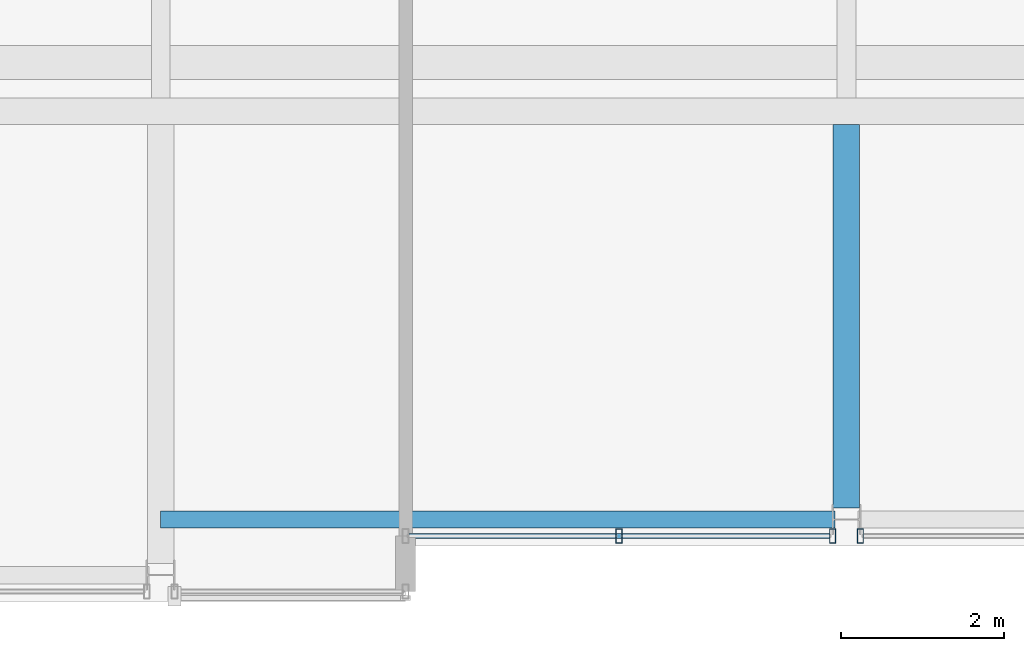
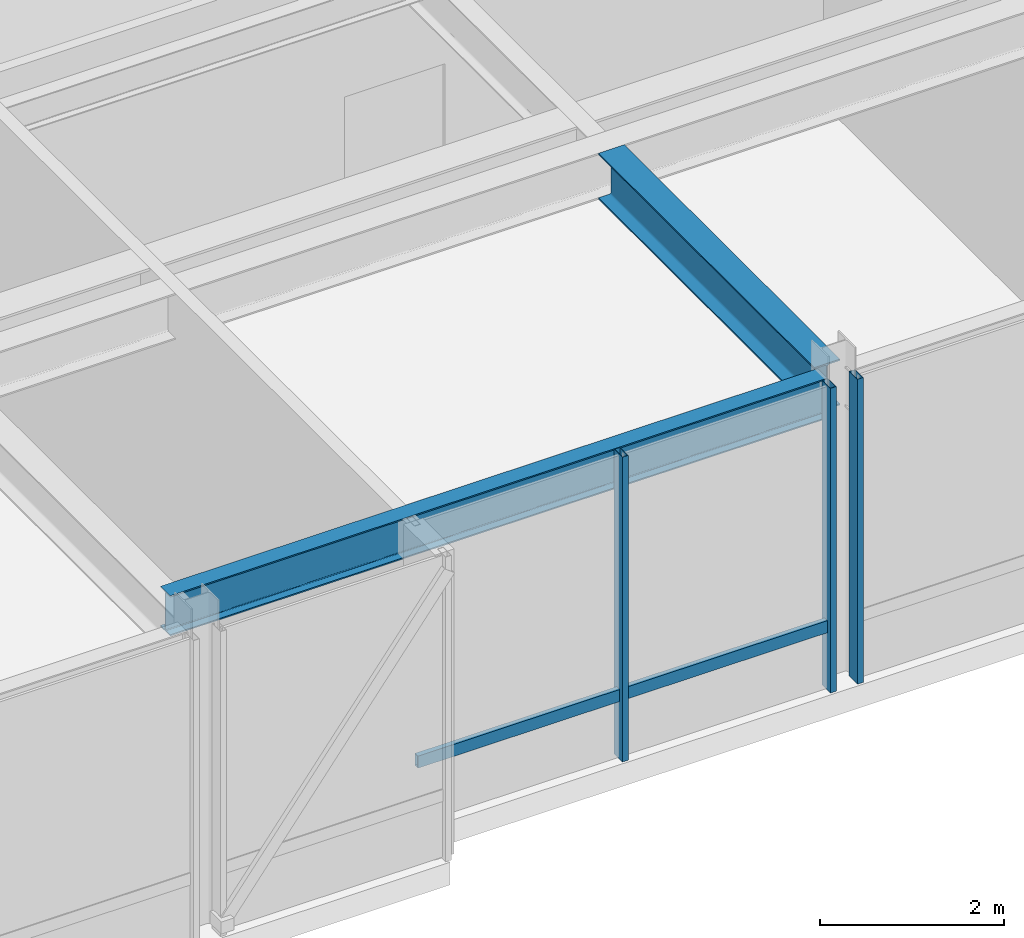
# One storey, part 8 of 33: 4 members, 2 beams, 2 elements without a shape of their own.
"""IFC4 building model written with IfcOpenShell, lengths in metres."""

from ifc_helpers import new_model, si_unit, direction, frame, origin, origin_2d, place, context, subcontext, project, spatial, hollow_rectangle, i_section, extrude, material, layer, layer_set, material_profile, profile_set, type_object, element, aggregate, save


model = new_model("IFC4")

# Units and contexts
model_context = context("Model", 3, precision=1e-05, world=origin(), true_north=direction((0.0, 1.0)))
body_context = subcontext(model_context, "Body", "Model", "MODEL_VIEW")
ifc_project = project(units=[si_unit("LENGTHUNIT", "METRE"), si_unit("AREAUNIT", "SQUARE_METRE"), si_unit("VOLUMEUNIT", "CUBIC_METRE"), si_unit("PLANEANGLEUNIT", "RADIAN"), si_unit("MASSUNIT", "GRAM", prefix="KILO")], contexts=[model_context])

# Site, building, storey
site_placement = place(None, origin())
site = spatial("IfcSite", under=ifc_project, at=site_placement, CompositionType="ELEMENT")
building_placement = place(site_placement, origin())
building = spatial("IfcBuilding", under=site, at=building_placement, Name="Drelvath Grand Hotel", CompositionType="ELEMENT")
storey_placement = place(building_placement, frame((0.0, 0.0, 298.60009765625)))
storey = spatial("IfcBuildingStorey", under=building, at=storey_placement, Name="L78", CompositionType="ELEMENT", Elevation=298.60009765625)

# Curtain wall, members
ifc_material_1 = material(Name="Platinum-Mist Anodised Aluminium Frame", Category="aluminium")
ifc_layer = layer(ifc_material_1, 0.199951171875)
ifc_layer_set = layer_set([ifc_layer], Name="Platinum-Mist Anodised Aluminium Frame")
curtain_wall_type = type_object("IfcCurtainWallType", Name="Stick Curtain Wall CW-05 Platinum Mist High-Rise", PredefinedType="NOTDEFINED", material=ifc_layer_set)
curtain_wall_1_placement = place(storey_placement, origin())
curtain_wall_1 = element("IfcCurtainWall", 1, at=curtain_wall_1_placement, inside=storey, type_object=curtain_wall_type, Name="L78 CW-05 Curtain Wall CW05-L78-SM1", PredefinedType="NOTDEFINED")
ifc_material_profile_1 = material_profile(ifc_material_1, hollow_rectangle(XDim=0.06494140625, YDim=0.159912109375, WallThickness=0.00390625, at=origin_2d()), Name="HSS160X65X4")
ifc_profile_set_1 = profile_set([ifc_material_profile_1], Name="Platinum-Mist Anodised Aluminium Frame")
member_type_1 = type_object("IfcMemberType", Name="Curtain Wall Horizontal Transom CW-05 HSS160X65X4", PredefinedType="USERDEFINED", material=ifc_profile_set_1)
member_1_placement = place(storey_placement, frame((-0.210205078125, 5.60009765625, 0.849853515625), z_axis=(-1.0, 0.0, 0.0), x_axis=(0.0, -1.0, 0.0)))
member_1 = element("IfcMember", 2, at=member_1_placement, type_object=member_type_1, Name="CW05-L78-SM1 Sill Transom", ObjectType="TRANSOM", PredefinedType="USERDEFINED", context=body_context, shape_type="SweptSolid", body=[
    extrude(hollow_rectangle(XDim=0.06494140625, YDim=0.159912109375, WallThickness=0.00390625, at=origin_2d()), origin(), (0.0, 0.0, 1.0), 5.14990234375),
])
ifc_material_profile_2 = material_profile(ifc_material_1, hollow_rectangle(XDim=0.074951171875, YDim=0.179931640625, WallThickness=0.0048828125, at=origin_2d()), Name="HSS180X75X5")
ifc_profile_set_2 = profile_set([ifc_material_profile_2], Name="Platinum-Mist Anodised Aluminium Frame")
member_type_2 = type_object("IfcMemberType", Name="Curtain Wall Vertical Mullion CW-05 HSS180X75X5", PredefinedType="MULLION", material=ifc_profile_set_2)
member_2_placement = place(storey_placement, frame((-0.170166015625, 5.60009765625, 0.0), z_axis=(0.0, 0.0, 1.0), x_axis=(1.0, 0.0, 0.0)))
member_2 = element("IfcMember", 3, at=member_2_placement, type_object=member_type_2, Name="CW05-L78-SM1 Mullion 1", PredefinedType="MULLION", context=body_context, shape_type="SweptSolid", body=[
    extrude(hollow_rectangle(XDim=0.074951171875, YDim=0.179931640625, WallThickness=0.0048828125, at=origin_2d()), origin(), (0.0, 0.0, 1.0), 4.0498046875),
])
member_3_placement = place(storey_placement, frame((-2.78515625, 5.60009765625, 0.0), z_axis=(0.0, 0.0, 1.0), x_axis=(1.0, 0.0, 0.0)))
member_3 = element("IfcMember", 4, at=member_3_placement, type_object=member_type_2, Name="CW05-L78-SM1 Mullion 2", PredefinedType="MULLION", context=body_context, shape_type="SweptSolid", body=[
    extrude(hollow_rectangle(XDim=0.074951171875, YDim=0.179931640625, WallThickness=0.0048828125, at=origin_2d()), origin(), (0.0, 0.0, 1.0), 4.0498046875),
])
aggregate(curtain_wall_1, [member_2, member_3, member_1])

# Curtain wall, member
curtain_wall_2_placement = place(storey_placement, origin())
curtain_wall_2 = element("IfcCurtainWall", 5, at=curtain_wall_2_placement, inside=storey, type_object=curtain_wall_type, Name="L78 CW-05 Curtain Wall CW05-L78-SM2", PredefinedType="NOTDEFINED")
member_4_placement = place(storey_placement, frame((0.170166015625, 5.60009765625, 0.0), z_axis=(0.0, 0.0, 1.0), x_axis=(1.0, 0.0, 0.0)))
member_4 = element("IfcMember", 6, at=member_4_placement, type_object=member_type_2, Name="CW05-L78-SM2 Mullion 3", PredefinedType="MULLION", context=body_context, shape_type="SweptSolid", body=[
    extrude(hollow_rectangle(XDim=0.074951171875, YDim=0.179931640625, WallThickness=0.0048828125, at=origin_2d()), origin(), (0.0, 0.0, 1.0), 4.0498046875),
])
aggregate(curtain_wall_2, [member_4])

# Beams
ifc_material_2 = material(Name="Steel ASTM A992 Gr 50", Category="steel")
ifc_material_profile_3 = material_profile(ifc_material_2, i_section(OverallWidth=0.210205078125, OverallDepth=0.53662109375, WebThickness=0.010986328125, FlangeThickness=0.017333984375, FilletRadius=0.01806640625, at=origin_2d()), Name="W21X68")
ifc_profile_set_3 = profile_set([ifc_material_profile_3], Name="Steel ASTM A992 Gr 50")
beam_type_1 = type_object("IfcBeamType", Name="Perimeter Spandrel Beam W21X68", PredefinedType="SPANDREL", material=ifc_profile_set_3)
beam_1_placement = place(storey_placement, frame((-8.39990234375, 5.800048828125, 3.781494140625), z_axis=(1.0, 0.0, 0.0), x_axis=(0.0, 1.0, 0.0)))
element("IfcBeam", 7, at=beam_1_placement, inside=storey, type_object=beam_type_1, Name="L78 Spandrel South Mid W", PredefinedType="SPANDREL", context=body_context, shape_type="SweptSolid", body=[
    extrude(i_section(OverallWidth=0.210205078125, OverallDepth=0.53662109375, WebThickness=0.010986328125, FlangeThickness=0.017333984375, FilletRadius=0.01806640625, at=origin_2d()), origin(), (0.0, 0.0, 1.0), 8.260009765625),
])
ifc_material_profile_4 = material_profile(ifc_material_2, i_section(OverallWidth=0.323974609375, OverallDepth=0.611083984375, WebThickness=0.0126953125, FlangeThickness=0.01904296875, FilletRadius=0.02197265625, at=origin_2d()), Name="W24X104")
ifc_profile_set_4 = profile_set([ifc_material_profile_4], Name="Steel ASTM A992 Gr 50")
beam_type_2 = type_object("IfcBeamType", Name="Primary Floor Girder W24X104", PredefinedType="BEAM", material=ifc_profile_set_4)
beam_2_placement = place(storey_placement, frame((0.0, 5.93994140625, 3.744384765625), z_axis=(0.0, 1.0, 0.0), x_axis=(-1.0, 0.0, 0.0)))
element("IfcBeam", 8, at=beam_2_placement, inside=storey, type_object=beam_type_2, Name="L78 South Wing Girder 5", PredefinedType="BEAM", context=body_context, shape_type="SweptSolid", body=[
    extrude(i_section(OverallWidth=0.323974609375, OverallDepth=0.611083984375, WebThickness=0.0126953125, FlangeThickness=0.01904296875, FilletRadius=0.02197265625, at=origin_2d()), origin(), (0.0, 0.0, 1.0), 4.697998046875),
])

save(model, "model.ifc")
